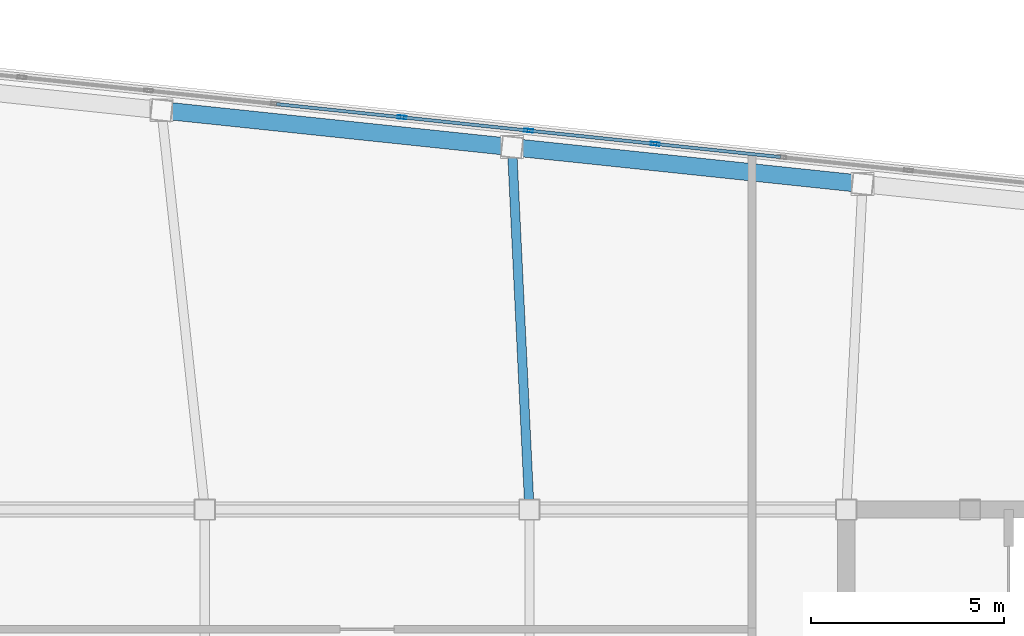
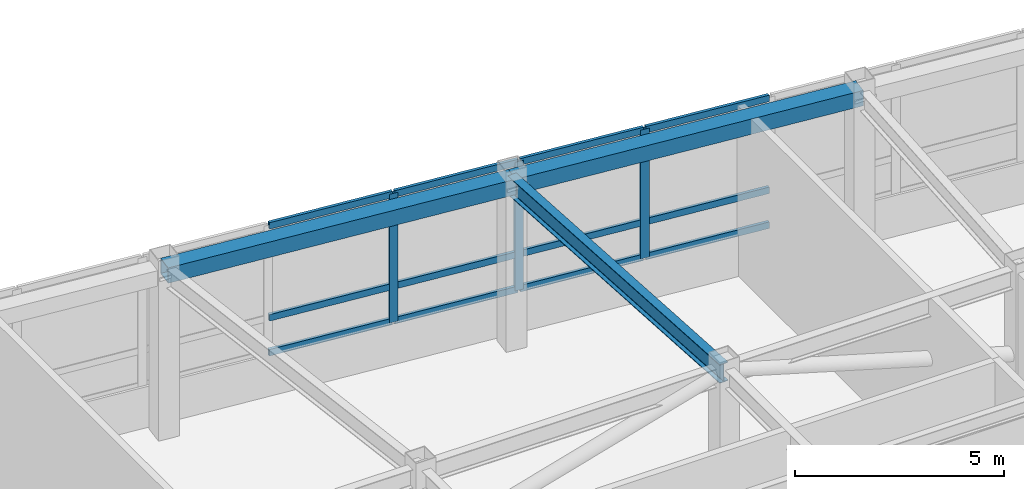
# One storey, part 16 of 21: 15 members, 3 beams, 1 element without a shape of its own.
"""IFC4 building model written with IfcOpenShell, lengths in metres."""

from ifc_helpers import new_model, si_unit, direction, frame, origin, origin_2d, place, context, subcontext, project, spatial, hollow_rectangle, i_section, extrude, material, layer, layer_set, material_profile, profile_set, type_object, element, aggregate, save


model = new_model("IFC4")

# Units and contexts
model_context = context("Model", 3, precision=1e-05, world=origin(), true_north=direction((0.0, 1.0)))
body_context = subcontext(model_context, "Body", "Model", "MODEL_VIEW")
ifc_project = project(units=[si_unit("LENGTHUNIT", "METRE"), si_unit("AREAUNIT", "SQUARE_METRE"), si_unit("VOLUMEUNIT", "CUBIC_METRE"), si_unit("PLANEANGLEUNIT", "RADIAN"), si_unit("MASSUNIT", "GRAM", prefix="KILO")], contexts=[model_context])

# Site, building, storey
site_placement = place(None, origin())
site = spatial("IfcSite", under=ifc_project, at=site_placement, CompositionType="ELEMENT")
building_placement = place(site_placement, origin())
building = spatial("IfcBuilding", under=site, at=building_placement, Name="Voryun Gate Residences", CompositionType="ELEMENT")
storey_placement = place(building_placement, frame((0.0, 0.0, 337.199951171875)))
storey = spatial("IfcBuildingStorey", under=building, at=storey_placement, Name="L82", CompositionType="ELEMENT", Elevation=337.199951171875)

# Beams
ifc_material_1 = material(Name="Steel SM355", Category="steel")
ifc_material_profile_1 = material_profile(ifc_material_1, hollow_rectangle(XDim=0.449951171875, YDim=0.449951171875, WallThickness=0.01806640625, at=origin_2d()), Name="BOX-450x450x18")
ifc_profile_set_1 = profile_set([ifc_material_profile_1], Name="Steel SM355")
beam_type_1 = type_object("IfcBeamType", Name="BM_CROWN_RING", PredefinedType="BEAM", material=ifc_profile_set_1)
for number, where, z_axis, x_axis, name in (
    (1, (12.818603515625, 15.824951171875, 4.735107421875), (-0.994521136856, 0.104535679778, 0.0), (-0.104535679778, -0.994521136856, 0.0), "BM-L82-SPAND-12"),
    (2, (3.74853515625, 16.7783203125, 4.735107421875), (-0.994521136856, 0.104535679778, 0.0), (-0.104535679778, -0.994521136856, 0.0), "BM-L82-SPAND-13"),
):
    element("IfcBeam", number, at=place(storey_placement, frame(where, z_axis=z_axis, x_axis=x_axis)), inside=storey, type_object=beam_type_1, Name=name, PredefinedType="BEAM", context=body_context, shape_type="SweptSolid", body=[
        extrude(hollow_rectangle(XDim=0.449951171875, YDim=0.449951171875, WallThickness=0.01806640625, at=origin_2d()), origin(), (0.0, 0.0, 1.0), 9.1201171875),
    ])
ifc_material_2 = material(Name="Steel SM355", Category="steel")
ifc_material_profile_2 = material_profile(ifc_material_2, i_section(OverallWidth=0.239990234375, OverallDepth=0.550048828125, WebThickness=0.011962890625, FlangeThickness=0.02001953125, FilletRadius=0.01806640625, at=origin_2d()), Name="H-550x240x12x20")
ifc_profile_set_2 = profile_set([ifc_material_profile_2], Name="Steel SM355")
beam_type_2 = type_object("IfcBeamType", Name="BM_GIRD_550", PredefinedType="USERDEFINED", material=ifc_profile_set_2)
beam_placement = place(storey_placement, frame((4.199951171875, 7.39990234375, 4.68505859375), z_axis=(-0.048077831062, 0.998843592441, 0.0), x_axis=(-0.998843592441, -0.048077831062, 0.0)))
element("IfcBeam", 3, at=beam_placement, inside=storey, type_object=beam_type_2, Name="BM-L82-RAD-N3", ObjectType="GIRDER", PredefinedType="USERDEFINED", context=body_context, shape_type="SweptSolid", body=[
    extrude(i_section(OverallWidth=0.239990234375, OverallDepth=0.550048828125, WebThickness=0.011962890625, FlangeThickness=0.02001953125, FilletRadius=0.01806640625, at=origin_2d()), origin(), (0.0, 0.0, 1.0), 9.38916015625),
])

# Curtain wall, members
ifc_material_3 = material(Name="Anodised aluminium", Category="aluminium")
ifc_layer = layer(ifc_material_3, 0.22998046875, Name="CW_SYS_LANTERN_DARK_GLASS")
ifc_layer_set = layer_set([ifc_layer], Name="Anodised aluminium")
curtain_wall_type = type_object("IfcCurtainWallType", Name="CW_SYS_LANTERN_DARK_GLASS", PredefinedType="NOTDEFINED", material=ifc_layer_set)
curtain_wall_placement = place(storey_placement, origin())
curtain_wall = element("IfcCurtainWall", 4, at=curtain_wall_placement, inside=storey, type_object=curtain_wall_type, Name="Curtain wall CW6-L82-11", PredefinedType="NOTDEFINED")
ifc_material_4 = material(Name="Anodised aluminium", Category="aluminium")
ifc_material_profile_3 = material_profile(ifc_material_4, hollow_rectangle(XDim=0.0849609375, YDim=0.22998046875, WallThickness=0.006103515625, at=origin_2d()), Name="ALU-MULL-230x85x6")
ifc_profile_set_3 = profile_set([ifc_material_profile_3], Name="Anodised aluminium")
member_type_1 = type_object("IfcMemberType", Name="CW_MULL_LANT", PredefinedType="MULLION", material=ifc_profile_set_3)
member_1_placement = place(storey_placement, frame((0.90087890625, 17.55029296875, 1.18994140625), z_axis=(0.0, 0.0, 1.0), x_axis=(0.10452775858, 0.994521969434, 0.0)))
member_1 = element("IfcMember", 5, at=member_1_placement, type_object=member_type_1, Name="CW6 mullion 8", PredefinedType="MULLION", context=body_context, shape_type="SweptSolid", body=[
    extrude(hollow_rectangle(XDim=0.0849609375, YDim=0.22998046875, WallThickness=0.006103515625, at=origin_2d()), origin(), (0.0, 0.0, 1.0), 3.77001953125),
])
member_2_placement = place(storey_placement, frame((4.177490234375, 17.205810546875, 1.18994140625), z_axis=(0.0, 0.0, 1.0), x_axis=(0.10452775858, 0.994521969434, 0.0)))
member_2 = element("IfcMember", 6, at=member_2_placement, type_object=member_type_1, Name="CW6 mullion 9", PredefinedType="MULLION", context=body_context, shape_type="SweptSolid", body=[
    extrude(hollow_rectangle(XDim=0.0849609375, YDim=0.22998046875, WallThickness=0.006103515625, at=origin_2d()), origin(), (0.0, 0.0, 1.0), 3.77001953125),
])
member_3_placement = place(storey_placement, frame((7.4541015625, 16.861328125, 1.18994140625), z_axis=(0.0, 0.0, 1.0), x_axis=(0.10452775858, 0.994521969434, 0.0)))
member_3 = element("IfcMember", 7, at=member_3_placement, type_object=member_type_1, Name="CW6 mullion 10", PredefinedType="MULLION", context=body_context, shape_type="SweptSolid", body=[
    extrude(hollow_rectangle(XDim=0.0849609375, YDim=0.22998046875, WallThickness=0.006103515625, at=origin_2d()), origin(), (0.0, 0.0, 1.0), 3.77001953125),
])
ifc_material_5 = material(Name="Anodised aluminium", Category="aluminium")
ifc_material_profile_4 = material_profile(ifc_material_5, hollow_rectangle(XDim=0.0849609375, YDim=0.18994140625, WallThickness=0.006103515625, at=origin_2d()), Name="ALU-TRAN-190x85x6")
ifc_profile_set_4 = profile_set([ifc_material_profile_4], Name="Anodised aluminium")
member_type_2 = type_object("IfcMemberType", Name="CW_TRAN_LANT", PredefinedType="USERDEFINED", material=ifc_profile_set_4)
member_4_placement = place(storey_placement, frame((-2.345947265625, 17.891357421875, 1.219970703125), z_axis=(0.994521569819, -0.104531560613, 0.0), x_axis=(0.104531560613, 0.994521569819, 0.0)))
member_4 = element("IfcMember", 8, at=member_4_placement, type_object=member_type_2, Name="CW6 transom 7.1", ObjectType="TRANSOM", PredefinedType="USERDEFINED", context=body_context, shape_type="SweptSolid", body=[
    extrude(hollow_rectangle(XDim=0.0849609375, YDim=0.18994140625, WallThickness=0.006103515625, at=origin_2d()), origin(), (0.0, 0.0, 1.0), 3.23486328125),
])
member_5_placement = place(storey_placement, frame((-2.345947265625, 17.891357421875, 2.239990234375), z_axis=(0.994521569819, -0.104531560613, 0.0), x_axis=(0.104531560613, 0.994521569819, 0.0)))
member_5 = element("IfcMember", 9, at=member_5_placement, type_object=member_type_2, Name="CW6 transom 7.2", ObjectType="TRANSOM", PredefinedType="USERDEFINED", context=body_context, shape_type="SweptSolid", body=[
    extrude(hollow_rectangle(XDim=0.0849609375, YDim=0.18994140625, WallThickness=0.006103515625, at=origin_2d()), origin(), (0.0, 0.0, 1.0), 3.23486328125),
])
member_6_placement = place(storey_placement, frame((-2.345947265625, 17.891357421875, 4.929931640625), z_axis=(0.994521569819, -0.104531560613, 0.0), x_axis=(0.104531560613, 0.994521569819, 0.0)))
member_6 = element("IfcMember", 10, at=member_6_placement, type_object=member_type_2, Name="CW6 transom 7.3", ObjectType="TRANSOM", PredefinedType="USERDEFINED", context=body_context, shape_type="SweptSolid", body=[
    extrude(hollow_rectangle(XDim=0.0849609375, YDim=0.18994140625, WallThickness=0.006103515625, at=origin_2d()), origin(), (0.0, 0.0, 1.0), 3.23486328125),
])
member_7_placement = place(storey_placement, frame((0.930908203125, 17.547119140625, 1.219970703125), z_axis=(0.994520745033, -0.104539407398, 0.0), x_axis=(0.104539407398, 0.994520745033, 0.0)))
member_7 = element("IfcMember", 11, at=member_7_placement, type_object=member_type_2, Name="CW6 transom 8.1", ObjectType="TRANSOM", PredefinedType="USERDEFINED", context=body_context, shape_type="SweptSolid", body=[
    extrude(hollow_rectangle(XDim=0.0849609375, YDim=0.18994140625, WallThickness=0.006103515625, at=origin_2d()), origin(), (0.0, 0.0, 1.0), 3.234619140625),
])
member_8_placement = place(storey_placement, frame((0.930908203125, 17.547119140625, 2.239990234375), z_axis=(0.994520745033, -0.104539407398, 0.0), x_axis=(0.104539407398, 0.994520745033, 0.0)))
member_8 = element("IfcMember", 12, at=member_8_placement, type_object=member_type_2, Name="CW6 transom 8.2", ObjectType="TRANSOM", PredefinedType="USERDEFINED", context=body_context, shape_type="SweptSolid", body=[
    extrude(hollow_rectangle(XDim=0.0849609375, YDim=0.18994140625, WallThickness=0.006103515625, at=origin_2d()), origin(), (0.0, 0.0, 1.0), 3.234619140625),
])
member_9_placement = place(storey_placement, frame((0.930908203125, 17.547119140625, 4.929931640625), z_axis=(0.994520745033, -0.104539407398, 0.0), x_axis=(0.104539407398, 0.994520745033, 0.0)))
member_9 = element("IfcMember", 13, at=member_9_placement, type_object=member_type_2, Name="CW6 transom 8.3", ObjectType="TRANSOM", PredefinedType="USERDEFINED", context=body_context, shape_type="SweptSolid", body=[
    extrude(hollow_rectangle(XDim=0.0849609375, YDim=0.18994140625, WallThickness=0.006103515625, at=origin_2d()), origin(), (0.0, 0.0, 1.0), 3.234619140625),
])
member_10_placement = place(storey_placement, frame((4.20751953125, 17.20263671875, 1.219970703125), z_axis=(0.994520745033, -0.104539407398, 0.0), x_axis=(0.104539407398, 0.994520745033, 0.0)))
member_10 = element("IfcMember", 14, at=member_10_placement, type_object=member_type_2, Name="CW6 transom 9.1", ObjectType="TRANSOM", PredefinedType="USERDEFINED", context=body_context, shape_type="SweptSolid", body=[
    extrude(hollow_rectangle(XDim=0.0849609375, YDim=0.18994140625, WallThickness=0.006103515625, at=origin_2d()), origin(), (0.0, 0.0, 1.0), 3.234619140625),
])
member_11_placement = place(storey_placement, frame((4.20751953125, 17.20263671875, 2.239990234375), z_axis=(0.994520745033, -0.104539407398, 0.0), x_axis=(0.104539407398, 0.994520745033, 0.0)))
member_11 = element("IfcMember", 15, at=member_11_placement, type_object=member_type_2, Name="CW6 transom 9.2", ObjectType="TRANSOM", PredefinedType="USERDEFINED", context=body_context, shape_type="SweptSolid", body=[
    extrude(hollow_rectangle(XDim=0.0849609375, YDim=0.18994140625, WallThickness=0.006103515625, at=origin_2d()), origin(), (0.0, 0.0, 1.0), 3.234619140625),
])
member_12_placement = place(storey_placement, frame((4.20751953125, 17.20263671875, 4.929931640625), z_axis=(0.994520745033, -0.104539407398, 0.0), x_axis=(0.104539407398, 0.994520745033, 0.0)))
member_12 = element("IfcMember", 16, at=member_12_placement, type_object=member_type_2, Name="CW6 transom 9.3", ObjectType="TRANSOM", PredefinedType="USERDEFINED", context=body_context, shape_type="SweptSolid", body=[
    extrude(hollow_rectangle(XDim=0.0849609375, YDim=0.18994140625, WallThickness=0.006103515625, at=origin_2d()), origin(), (0.0, 0.0, 1.0), 3.234619140625),
])
member_13_placement = place(storey_placement, frame((7.484130859375, 16.8583984375, 1.219970703125), z_axis=(0.994520745033, -0.104539407398, 0.0), x_axis=(0.104539407398, 0.994520745033, 0.0)))
member_13 = element("IfcMember", 17, at=member_13_placement, type_object=member_type_2, Name="CW6 transom 10.1", ObjectType="TRANSOM", PredefinedType="USERDEFINED", context=body_context, shape_type="SweptSolid", body=[
    extrude(hollow_rectangle(XDim=0.0849609375, YDim=0.18994140625, WallThickness=0.006103515625, at=origin_2d()), origin(), (0.0, 0.0, 1.0), 3.234619140625),
])
member_14_placement = place(storey_placement, frame((7.484130859375, 16.8583984375, 2.239990234375), z_axis=(0.994520745033, -0.104539407398, 0.0), x_axis=(0.104539407398, 0.994520745033, 0.0)))
member_14 = element("IfcMember", 18, at=member_14_placement, type_object=member_type_2, Name="CW6 transom 10.2", ObjectType="TRANSOM", PredefinedType="USERDEFINED", context=body_context, shape_type="SweptSolid", body=[
    extrude(hollow_rectangle(XDim=0.0849609375, YDim=0.18994140625, WallThickness=0.006103515625, at=origin_2d()), origin(), (0.0, 0.0, 1.0), 3.234619140625),
])
member_15_placement = place(storey_placement, frame((7.484130859375, 16.8583984375, 4.929931640625), z_axis=(0.994520745033, -0.104539407398, 0.0), x_axis=(0.104539407398, 0.994520745033, 0.0)))
member_15 = element("IfcMember", 19, at=member_15_placement, type_object=member_type_2, Name="CW6 transom 10.3", ObjectType="TRANSOM", PredefinedType="USERDEFINED", context=body_context, shape_type="SweptSolid", body=[
    extrude(hollow_rectangle(XDim=0.0849609375, YDim=0.18994140625, WallThickness=0.006103515625, at=origin_2d()), origin(), (0.0, 0.0, 1.0), 3.234619140625),
])
aggregate(curtain_wall, [member_1, member_2, member_3, member_4, member_5, member_6, member_7, member_8, member_9, member_10, member_11, member_12, member_13, member_14, member_15])

save(model, "model.ifc")
